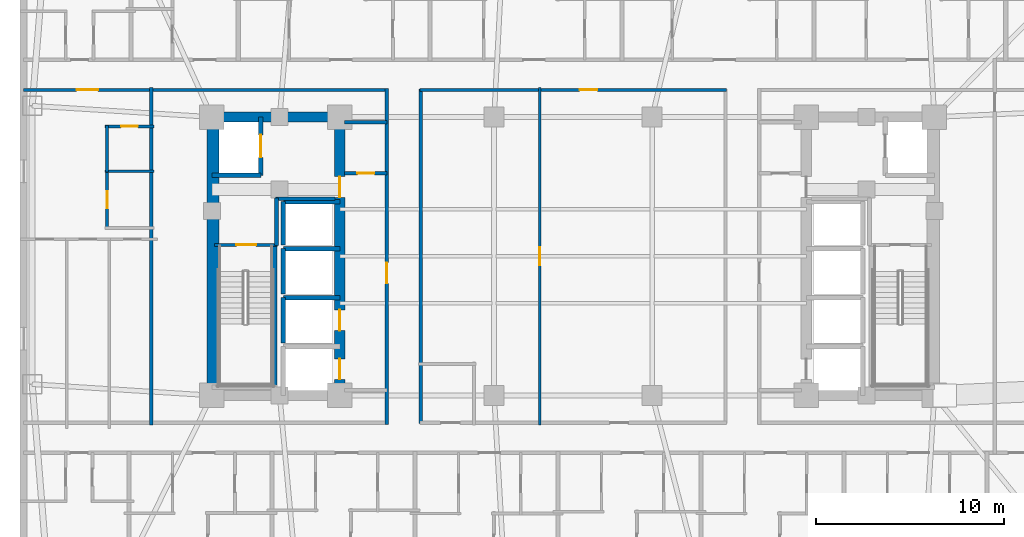
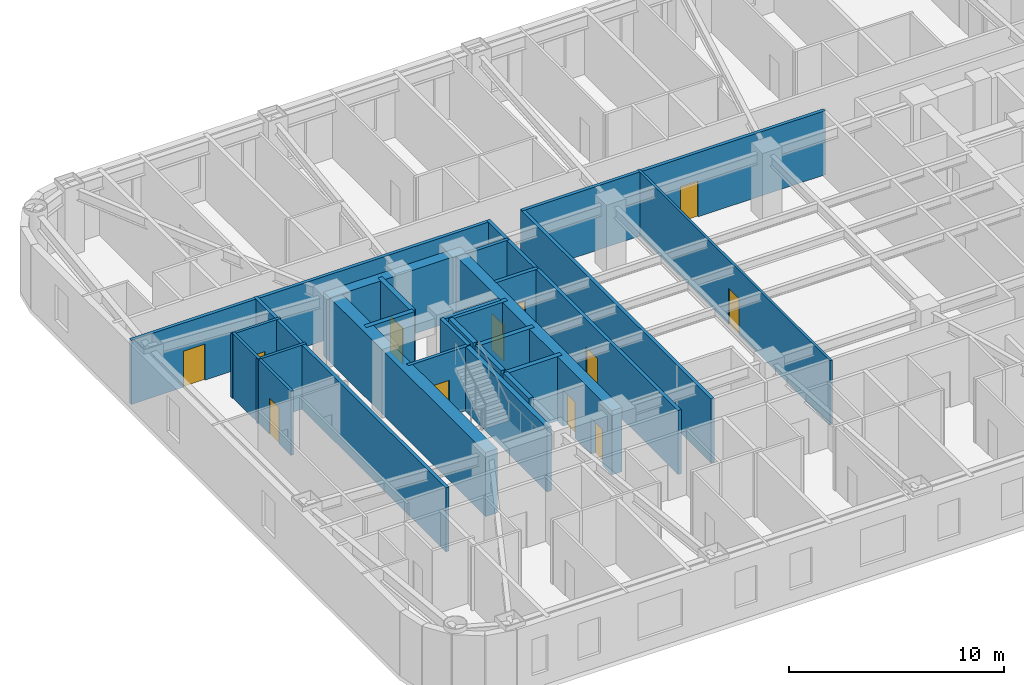
# One storey, part 9 of 16: 27 walls, 12 doors, 12 openings.
"""IFC4 building model written with IfcOpenShell, lengths in metres."""

from ifc_helpers import new_model, si_unit, direction, frame, frame_2d, origin, place, context, subcontext, project, spatial, rectangle, extrude, material, layer, layer_set, type_object, element, fill, save


model = new_model("IFC4")

# Units and contexts
model_context = context("Model", 3, precision=1e-05, world=origin(), true_north=direction((0.0, 1.0)))
body_context = subcontext(model_context, "Body", "Model", "MODEL_VIEW")
ifc_project = project(units=[si_unit("LENGTHUNIT", "METRE"), si_unit("AREAUNIT", "SQUARE_METRE"), si_unit("VOLUMEUNIT", "CUBIC_METRE"), si_unit("PLANEANGLEUNIT", "RADIAN"), si_unit("MASSUNIT", "GRAM", prefix="KILO")], contexts=[model_context])

# Site, building, storey
site_placement = place(None, origin())
site = spatial("IfcSite", under=ifc_project, at=site_placement, CompositionType="ELEMENT")
building_placement = place(site_placement, origin())
building = spatial("IfcBuilding", under=site, at=building_placement, Name="Voryun Gate Residences", CompositionType="ELEMENT")
storey_placement = place(building_placement, frame((0.0, 0.0, 93.60009765625)))
storey = spatial("IfcBuildingStorey", under=building, at=storey_placement, Name="L22", CompositionType="ELEMENT", Elevation=93.60009765625)

# Wall
ifc_material_1 = material(Name="Concrete C60/75", Category="concrete")
ifc_layer_1 = layer(ifc_material_1, 0.550048828125, Name="CW_CORE_550")
ifc_layer_set_1 = layer_set([ifc_layer_1], Name="Concrete C60/75")
wall_type_1 = type_object("IfcWallType", Name="CW_CORE_550", PredefinedType="SHEAR", material=ifc_layer_set_1)
wall_1_placement = place(storey_placement, frame((-19.47509765625, 7.39990234375, 0.0), z_axis=(0.0, 0.0, 1.0), x_axis=(1.0, 0.0, 0.0)))
element("IfcWall", 1, at=wall_1_placement, inside=storey, type_object=wall_type_1, Name="L22 Core shear wall CW-L22-WN", PredefinedType="SHEAR", context=body_context, shape_type="SweptSolid", body=[
    extrude(rectangle(XDim=7.35009765625, YDim=0.550048828125, at=frame_2d((3.675048828125, 0.0))), origin(), (0.0, 0.0, 1.0), 3.64990234375),
])

# Wall, openings, doors
wall_2_placement = place(storey_placement, frame((-12.39990234375, -7.39990234375, 0.0), z_axis=(0.0, 0.0, 1.0), x_axis=(0.0, 1.0, 0.0)))
wall_2 = element("IfcWall", 2, at=wall_2_placement, inside=storey, type_object=wall_type_1, Name="L22 Core shear wall CW-L22-WE", PredefinedType="SHEAR", context=body_context, shape_type="SweptSolid", body=[
    extrude(rectangle(XDim=14.7998046875, YDim=0.550048828125, at=frame_2d((7.39990234375, 0.0))), origin(), (0.0, 0.0, 1.0), 3.64990234375),
])
opening_1_placement = place(wall_2_placement, frame((0.85009765625, 0.0, 0.0)))
opening_1 = element("IfcOpeningElement", 3, at=opening_1_placement, cuts=wall_2, Name="Opening LD2", PredefinedType="OPENING", context=body_context, shape_type="SweptSolid", body=[
    extrude(rectangle(XDim=1.10009765625, YDim=2.050048828125, at=frame_2d((0.550048828125, 1.02490234375))), frame((0.0, 0.284912109375, 0.0), z_axis=(0.0, -1.0, 0.0), x_axis=(1.0, 0.0, 0.0)), (0.0, 0.0, 1.0), 0.570068359375),
])
opening_2_placement = place(wall_2_placement, frame((3.449951171875, 0.0, 0.0)))
opening_2 = element("IfcOpeningElement", 4, at=opening_2_placement, cuts=wall_2, Name="Opening LD2", PredefinedType="OPENING", context=body_context, shape_type="SweptSolid", body=[
    extrude(rectangle(XDim=1.10009765625, YDim=2.050048828125, at=frame_2d((0.550048828125, 1.02490234375))), frame((0.0, 0.284912109375, 0.0), z_axis=(0.0, -1.0, 0.0), x_axis=(1.0, 0.0, 0.0)), (0.0, 0.0, 1.0), 0.570068359375),
])
opening_3_placement = place(wall_2_placement, frame((10.530029296875, 0.0, 0.0)))
opening_3 = element("IfcOpeningElement", 5, at=opening_3_placement, cuts=wall_2, Name="Opening D-FD60-2", PredefinedType="OPENING", context=body_context, shape_type="SweptSolid", body=[
    extrude(rectangle(XDim=1.10009765625, YDim=2.050048828125, at=frame_2d((0.550048828125, 1.02490234375))), frame((0.0, 0.284912109375, 0.0), z_axis=(0.0, -1.0, 0.0), x_axis=(1.0, 0.0, 0.0)), (0.0, 0.0, 1.0), 0.570068359375),
])
ifc_material_2 = material(Name="Painted steel fire door", Category="steel")
door_type_1 = type_object("IfcDoorType", Name="DR_FD60_FFLOB_1100", OperationType="NOTDEFINED", PredefinedType="DOOR", material=ifc_material_2)
door_1_placement = place(opening_3_placement, origin())
door_1 = element("IfcDoor", 6, at=door_1_placement, inside=storey, type_object=door_type_1, Name="Door DR-L22-CLOB-W", OperationType="SINGLE_SWING_LEFT", OverallHeight=2.050048828125, OverallWidth=1.10009765625, PredefinedType="DOOR", context=body_context, shape_type="SweptSolid", body=[
    extrude(rectangle(XDim=1.10009765625, YDim=2.050048828125, at=frame_2d((0.550048828125, 1.02490234375))), frame((0.0, 0.02490234375, 0.0), z_axis=(0.0, -1.0, 0.0), x_axis=(1.0, 0.0, 0.0)), (0.0, 0.0, 1.0), 0.050048828125),
])
fill(opening_3, door_1)
ifc_material_3 = material(Name="Anodised aluminium", Category="aluminium")
door_type_2 = type_object("IfcDoorType", Name="DR_LD_PASS_1100", OperationType="NOTDEFINED", PredefinedType="DOOR", material=ifc_material_3)
door_2_placement = place(opening_1_placement, origin())
door_2 = element("IfcDoor", 7, at=door_2_placement, inside=storey, type_object=door_type_2, Name="Lift EL-P1 sliding landing door L22", OperationType="SLIDING_TO_LEFT", OverallHeight=2.050048828125, OverallWidth=1.10009765625, PredefinedType="DOOR", context=body_context, shape_type="SweptSolid", body=[
    extrude(rectangle(XDim=1.10009765625, YDim=2.050048828125, at=frame_2d((0.550048828125, 1.02490234375))), frame((0.0, 0.02490234375, 0.0), z_axis=(0.0, -1.0, 0.0), x_axis=(1.0, 0.0, 0.0)), (0.0, 0.0, 1.0), 0.050048828125),
])
fill(opening_1, door_2)
door_3_placement = place(opening_2_placement, origin())
door_3 = element("IfcDoor", 8, at=door_3_placement, inside=storey, type_object=door_type_2, Name="Lift EL-P2 sliding landing door L22", OperationType="SLIDING_TO_LEFT", OverallHeight=2.050048828125, OverallWidth=1.10009765625, PredefinedType="DOOR", context=body_context, shape_type="SweptSolid", body=[
    extrude(rectangle(XDim=1.10009765625, YDim=2.050048828125, at=frame_2d((0.550048828125, 1.02490234375))), frame((0.0, 0.02490234375, 0.0), z_axis=(0.0, -1.0, 0.0), x_axis=(1.0, 0.0, 0.0)), (0.0, 0.0, 1.0), 0.050048828125),
])
fill(opening_2, door_3)

# Wall
ifc_material_4 = material(Name="Concrete C60/75", Category="concrete")
ifc_layer_2 = layer(ifc_material_4, 0.64990234375, Name="CW_CORE_650")
ifc_layer_set_2 = layer_set([ifc_layer_2], Name="Concrete C60/75")
wall_type_2 = type_object("IfcWallType", Name="CW_CORE_650", PredefinedType="SHEAR", material=ifc_layer_set_2)
wall_3_placement = place(storey_placement, frame((-19.14501953125, -7.39990234375, 0.0), z_axis=(0.0, 0.0, 1.0), x_axis=(0.0, 1.0, 0.0)))
element("IfcWall", 9, at=wall_3_placement, inside=storey, type_object=wall_type_2, Name="L22 Core shear wall CW-L22-WW", PredefinedType="SHEAR", context=body_context, shape_type="SweptSolid", body=[
    extrude(rectangle(XDim=14.7998046875, YDim=0.64990234375, at=frame_2d((7.39990234375, 0.0))), origin(), (0.0, 0.0, 1.0), 3.64990234375),
])

# Wall, opening, door
ifc_material_5 = material(Name="Gypsum acoustic fireboard")
ifc_layer_3 = layer(ifc_material_5, 0.179931640625, Name="W_CORR_RATED_180")
ifc_layer_set_3 = layer_set([ifc_layer_3], Name="Gypsum acoustic fireboard")
wall_type_3 = type_object("IfcWallType", Name="W_CORR_RATED_180", PredefinedType="PARTITIONING", material=ifc_layer_set_3)
wall_4_placement = place(storey_placement, frame((-19.06005859375, 0.60009765625, 0.0), z_axis=(0.0, 0.0, 1.0), x_axis=(1.0, 0.0, 0.0)))
wall_4 = element("IfcWall", 10, at=wall_4_placement, inside=storey, type_object=wall_type_3, Name="Partition wall WP-L22-STV-W", PredefinedType="PARTITIONING", context=body_context, shape_type="SweptSolid", body=[
    extrude(rectangle(XDim=3.360107421875, YDim=0.179931640625, at=frame_2d((1.68017578125, 0.0))), origin(), (0.0, 0.0, 1.0), 3.64990234375),
])
opening_4_placement = place(wall_4_placement, frame((1.155029296875, 0.0, 0.0)))
opening_4 = element("IfcOpeningElement", 11, at=opening_4_placement, cuts=wall_4, Name="Opening D-FD60-1", PredefinedType="OPENING", context=body_context, shape_type="SweptSolid", body=[
    extrude(rectangle(XDim=1.050048828125, YDim=2.050048828125, at=frame_2d((0.52490234375, 1.02490234375))), frame((0.0, 0.099853515625, 0.0), z_axis=(0.0, -1.0, 0.0), x_axis=(1.0, 0.0, 0.0)), (0.0, 0.0, 1.0), 0.199951171875),
])
ifc_material_6 = material(Name="Painted steel fire door", Category="steel")
door_type_3 = type_object("IfcDoorType", Name="DR_FD60_STAIR_1050", OperationType="NOTDEFINED", PredefinedType="DOOR", material=ifc_material_6)
door_4_placement = place(opening_4_placement, origin())
door_4 = element("IfcDoor", 12, at=door_4_placement, inside=storey, type_object=door_type_3, Name="Door DR-L22-ST-W", OperationType="SINGLE_SWING_LEFT", OverallHeight=2.050048828125, OverallWidth=1.050048828125, PredefinedType="DOOR", context=body_context, shape_type="SweptSolid", body=[
    extrude(rectangle(XDim=1.050048828125, YDim=2.050048828125, at=frame_2d((0.52490234375, 1.02490234375))), frame((0.0, 0.02490234375, 0.0), z_axis=(0.0, -1.0, 0.0), x_axis=(1.0, 0.0, 0.0)), (0.0, 0.0, 1.0), 0.050048828125),
])
fill(opening_4, door_4)

# Wall
wall_5_placement = place(storey_placement, frame((-12.14990234375, 7.1201171875, 0.0), z_axis=(0.0, 0.0, 1.0), x_axis=(1.0, 0.0, 0.0)))
element("IfcWall", 13, at=wall_5_placement, inside=storey, type_object=wall_type_3, Name="Partition wall WP-L22-PLBN-W", PredefinedType="PARTITIONING", context=body_context, shape_type="SweptSolid", body=[
    extrude(rectangle(XDim=2.27001953125, YDim=0.179931640625, at=frame_2d((1.135009765625, 0.0))), origin(), (0.0, 0.0, 1.0), 3.64990234375),
])

# Wall, opening, door
wall_6_placement = place(storey_placement, frame((-9.89990234375, -8.929931640625, 0.0), z_axis=(0.0, 0.0, 1.0), x_axis=(0.0, 1.0, 0.0)))
wall_6 = element("IfcWall", 14, at=wall_6_placement, inside=storey, type_object=wall_type_3, Name="Partition wall WP-L22-PLBW-FULL", PredefinedType="PARTITIONING", context=body_context, shape_type="SweptSolid", body=[
    extrude(rectangle(XDim=17.85986328125, YDim=0.179931640625, at=frame_2d((8.929931640625, 0.0))), origin(), (0.0, 0.0, 1.0), 3.64990234375),
])
opening_5_placement = place(wall_6_placement, frame((7.487060546875, 0.0, 0.0)))
opening_5 = element("IfcOpeningElement", 15, at=opening_5_placement, cuts=wall_6, Name="Opening D-FD60-2", PredefinedType="OPENING", context=body_context, shape_type="SweptSolid", body=[
    extrude(rectangle(XDim=1.10009765625, YDim=2.050048828125, at=frame_2d((0.550048828125, 1.02490234375))), frame((0.0, 0.099853515625, 0.0), z_axis=(0.0, -1.0, 0.0), x_axis=(1.0, 0.0, 0.0)), (0.0, 0.0, 1.0), 0.199951171875),
])
door_5_placement = place(opening_5_placement, origin())
door_5 = element("IfcDoor", 16, at=door_5_placement, inside=storey, type_object=door_type_1, Name="Door DR-L22-PLBW-COR", OperationType="SINGLE_SWING_LEFT", OverallHeight=2.050048828125, OverallWidth=1.10009765625, PredefinedType="DOOR", context=body_context, shape_type="SweptSolid", body=[
    extrude(rectangle(XDim=1.10009765625, YDim=2.050048828125, at=frame_2d((0.550048828125, 1.02490234375))), frame((0.0, 0.02490234375, 0.0), z_axis=(0.0, -1.0, 0.0), x_axis=(1.0, 0.0, 0.0)), (0.0, 0.0, 1.0), 0.050048828125),
])
fill(opening_5, door_5)

wall_7_placement = place(storey_placement, frame((-29.2099609375, 8.840087890625, 0.0), z_axis=(0.0, 0.0, 1.0), x_axis=(1.0, 0.0, 0.0)))
wall_7 = element("IfcWall", 17, at=wall_7_placement, inside=storey, type_object=wall_type_3, Name="Partition wall WP-L22-CWING-WN", PredefinedType="PARTITIONING", context=body_context, shape_type="SweptSolid", body=[
    extrude(rectangle(XDim=19.330078125, YDim=0.179931640625, at=frame_2d((9.6650390625, 0.0))), origin(), (0.0, 0.0, 1.0), 3.64990234375),
])
opening_6_placement = place(wall_7_placement, frame((2.8154296875, 0.0, 0.0)))
opening_6 = element("IfcOpeningElement", 18, at=opening_6_placement, cuts=wall_7, Name="Opening D-UNIT-1", PredefinedType="OPENING", context=body_context, shape_type="SweptSolid", body=[
    extrude(rectangle(XDim=1.14990234375, YDim=2.050048828125, at=frame_2d((0.574951171875, 1.02490234375))), frame((0.0, 0.099853515625, 0.0), z_axis=(0.0, -1.0, 0.0), x_axis=(1.0, 0.0, 0.0)), (0.0, 0.0, 1.0), 0.199951171875),
])
ifc_material_7 = material(Name="Armoured timber-clad fire door", Category="wood")
door_type_4 = type_object("IfcDoorType", Name="DR_UNIT_ENTRY_1150", OperationType="NOTDEFINED", PredefinedType="DOOR", material=ifc_material_7)
door_6_placement = place(opening_6_placement, origin())
door_6 = element("IfcDoor", 19, at=door_6_placement, inside=storey, type_object=door_type_4, Name="Door DR-L22-WE1N", OperationType="SINGLE_SWING_LEFT", OverallHeight=2.050048828125, OverallWidth=1.14990234375, PredefinedType="DOOR", context=body_context, shape_type="SweptSolid", body=[
    extrude(rectangle(XDim=1.14990234375, YDim=2.050048828125, at=frame_2d((0.574951171875, 1.02490234375))), frame((0.0, 0.02490234375, 0.0), z_axis=(0.0, -1.0, 0.0), x_axis=(1.0, 0.0, 0.0)), (0.0, 0.0, 1.0), 0.050048828125),
])
fill(opening_6, door_6)

wall_8_placement = place(storey_placement, frame((-8.14990234375, 8.840087890625, 0.0), z_axis=(0.0, 0.0, 1.0), x_axis=(1.0, 0.0, 0.0)))
wall_8 = element("IfcWall", 20, at=wall_8_placement, inside=storey, type_object=wall_type_3, Name="Partition wall WP-L22-Z1N", PredefinedType="PARTITIONING", context=body_context, shape_type="SweptSolid", body=[
    extrude(rectangle(XDim=16.2998046875, YDim=0.179931640625, at=frame_2d((8.14990234375, 0.0))), origin(), (0.0, 0.0, 1.0), 3.64990234375),
])
opening_7_placement = place(wall_8_placement, frame((8.489990234375, 0.0, 0.0)))
opening_7 = element("IfcOpeningElement", 21, at=opening_7_placement, cuts=wall_8, Name="Opening D-INT-1", PredefinedType="OPENING", context=body_context, shape_type="SweptSolid", body=[
    extrude(rectangle(XDim=0.949951171875, YDim=2.050048828125, at=frame_2d((0.47509765625, 1.02490234375))), frame((0.0, 0.099853515625, 0.0), z_axis=(0.0, -1.0, 0.0), x_axis=(1.0, 0.0, 0.0)), (0.0, 0.0, 1.0), 0.199951171875),
])
ifc_material_8 = material(Name="Architectural oak veneer")
door_type_5 = type_object("IfcDoorType", Name="DR_INT_ROOM_950", OperationType="NOTDEFINED", PredefinedType="DOOR", material=ifc_material_8)
door_7_placement = place(opening_7_placement, origin())
door_7 = element("IfcDoor", 22, at=door_7_placement, inside=storey, type_object=door_type_5, Name="Door DR-L22-CMIDZ1N", OperationType="SINGLE_SWING_LEFT", OverallHeight=2.050048828125, OverallWidth=0.949951171875, PredefinedType="DOOR", context=body_context, shape_type="SweptSolid", body=[
    extrude(rectangle(XDim=0.949951171875, YDim=2.050048828125, at=frame_2d((0.47509765625, 1.02490234375))), frame((0.0, 0.02490234375, 0.0), z_axis=(0.0, -1.0, 0.0), x_axis=(1.0, 0.0, 0.0)), (0.0, 0.0, 1.0), 0.050048828125),
])
fill(opening_7, door_7)

# Walls
wall_9_placement = place(storey_placement, frame((-8.10009765625, -8.8798828125, 0.0), z_axis=(0.0, 0.0, 1.0), x_axis=(0.0, 1.0, 0.0)))
element("IfcWall", 23, at=wall_9_placement, inside=storey, type_object=wall_type_3, Name="Partition wall WP-L22-Z1W", PredefinedType="PARTITIONING", context=body_context, shape_type="SweptSolid", body=[
    extrude(rectangle(XDim=17.759765625, YDim=0.179931640625, at=frame_2d((8.8798828125, 0.0))), origin(), (0.0, 0.0, 1.0), 3.64990234375),
])
wall_10_placement = place(storey_placement, frame((-22.419921875, -8.9599609375, 0.0), z_axis=(0.0, 0.0, 1.0), x_axis=(0.0, 1.0, 0.0)))
element("IfcWall", 24, at=wall_10_placement, inside=storey, type_object=wall_type_3, Name="Partition wall WP-L22-WCOR", PredefinedType="PARTITIONING", context=body_context, shape_type="SweptSolid", body=[
    extrude(rectangle(XDim=17.919921875, YDim=0.179931640625, at=frame_2d((8.9599609375, 0.0))), origin(), (0.0, 0.0, 1.0), 3.64990234375),
])
ifc_material_9 = material(Name="Concrete C40/50", Category="concrete")
ifc_layer_4 = layer(ifc_material_9, 0.199951171875, Name="W_FF_LOBBY_200")
ifc_layer_set_4 = layer_set([ifc_layer_4], Name="Concrete C40/50")
wall_type_4 = type_object("IfcWallType", Name="W_FF_LOBBY_200", PredefinedType="PARTITIONING", material=ifc_layer_set_4)
wall_11_placement = place(storey_placement, frame((-15.760009765625, 0.580078125, 0.0), z_axis=(0.0, 0.0, 1.0), x_axis=(0.0, 1.0, 0.0)))
element("IfcWall", 25, at=wall_11_placement, inside=storey, type_object=wall_type_4, Name="Partition wall WP-L22-FFP0-W", PredefinedType="PARTITIONING", context=body_context, shape_type="SweptSolid", body=[
    extrude(rectangle(XDim=2.52001953125, YDim=0.199951171875, at=frame_2d((1.260009765625, 0.0))), origin(), (0.0, 0.0, 1.0), 3.64990234375),
])
wall_12_placement = place(storey_placement, frame((-15.820068359375, 3.06005859375, 0.0), z_axis=(0.0, 0.0, 1.0), x_axis=(1.0, 0.0, 0.0)))
element("IfcWall", 26, at=wall_12_placement, inside=storey, type_object=wall_type_4, Name="Partition wall WP-L22-FFPS-W", PredefinedType="PARTITIONING", context=body_context, shape_type="SweptSolid", body=[
    extrude(rectangle(XDim=3.16015625, YDim=0.199951171875, at=frame_2d((1.580078125, 0.0))), origin(), (0.0, 0.0, 1.0), 3.64990234375),
])

# Wall, opening, door
wall_13_placement = place(storey_placement, frame((-12.14990234375, 4.409912109375, 0.0), z_axis=(0.0, 0.0, 1.0), x_axis=(1.0, 0.0, 0.0)))
wall_13 = element("IfcWall", 27, at=wall_13_placement, inside=storey, type_object=wall_type_4, Name="Partition wall WP-L22-CSFLKS-W", PredefinedType="PARTITIONING", context=body_context, shape_type="SweptSolid", body=[
    extrude(rectangle(XDim=2.27001953125, YDim=0.199951171875, at=frame_2d((1.135009765625, 0.0))), origin(), (0.0, 0.0, 1.0), 3.64990234375),
])
opening_8_placement = place(wall_13_placement, frame((0.68505859375, 0.0, 0.0)))
opening_8 = element("IfcOpeningElement", 28, at=opening_8_placement, cuts=wall_13, Name="Opening D-FD60-4", PredefinedType="OPENING", context=body_context, shape_type="SweptSolid", body=[
    extrude(rectangle(XDim=0.89990234375, YDim=2.050048828125, at=frame_2d((0.449951171875, 1.02490234375))), frame((0.0, 0.110107421875, 0.0), z_axis=(0.0, -1.0, 0.0), x_axis=(1.0, 0.0, 0.0)), (0.0, 0.0, 1.0), 0.219970703125),
])
ifc_material_10 = material(Name="Painted steel fire door", Category="steel")
door_type_6 = type_object("IfcDoorType", Name="DR_FD60_RISER_900", OperationType="NOTDEFINED", PredefinedType="DOOR", material=ifc_material_10)
door_8_placement = place(opening_8_placement, origin())
door_8 = element("IfcDoor", 29, at=door_8_placement, inside=storey, type_object=door_type_6, Name="Door DR-L22-CSFLK-W", OperationType="SINGLE_SWING_LEFT", OverallHeight=2.050048828125, OverallWidth=0.89990234375, PredefinedType="DOOR", context=body_context, shape_type="SweptSolid", body=[
    extrude(rectangle(XDim=0.89990234375, YDim=2.050048828125, at=frame_2d((0.449951171875, 1.02490234375))), frame((0.0, 0.02490234375, 0.0), z_axis=(0.0, -1.0, 0.0), x_axis=(1.0, 0.0, 0.0)), (0.0, 0.0, 1.0), 0.050048828125),
])
fill(opening_8, door_8)

# Walls
ifc_material_11 = material(Name="Concrete C50/60", Category="concrete")
ifc_layer_5 = layer(ifc_material_11, 0.25, Name="W_SHAFT_RC250")
ifc_layer_set_5 = layer_set([ifc_layer_5], Name="Concrete C50/60")
wall_type_5 = type_object("IfcWallType", Name="W_SHAFT_RC250", PredefinedType="SOLIDWALL", material=ifc_layer_set_5)
wall_14_placement = place(storey_placement, frame((-15.860107421875, -7.0849609375, 0.0), z_axis=(0.0, 0.0, 1.0), x_axis=(0.0, 1.0, 0.0)))
element("IfcWall", 30, at=wall_14_placement, inside=storey, type_object=wall_type_5, Name="L22 Stair shaft structural wall W-STR", PredefinedType="SOLIDWALL", context=body_context, shape_type="SweptSolid", body=[
    extrude(rectangle(XDim=7.68505859375, YDim=0.25, at=frame_2d((3.842529296875, 0.0))), origin(), (0.0, 0.0, 1.0), 3.64990234375),
])
wall_15_placement = place(storey_placement, frame((-19.199951171875, 4.300048828125, 0.0), z_axis=(0.0, 0.0, 1.0), x_axis=(1.0, 0.0, 0.0)))
element("IfcWall", 31, at=wall_15_placement, inside=storey, type_object=wall_type_5, Name="Lift shaft wall WSH-L22-EL-FF-W1-S", PredefinedType="SOLIDWALL", context=body_context, shape_type="SweptSolid", body=[
    extrude(rectangle(XDim=2.599853515625, YDim=0.25, at=frame_2d((1.2998046875, 0.0))), origin(), (0.0, 0.0, 1.0), 3.64990234375),
])

# Wall, opening, door
wall_16_placement = place(storey_placement, frame((-16.60009765625, 4.300048828125, 0.0), z_axis=(0.0, 0.0, 1.0), x_axis=(0.0, 1.0, 0.0)))
wall_16 = element("IfcWall", 32, at=wall_16_placement, inside=storey, type_object=wall_type_5, Name="Lift shaft wall WSH-L22-EL-FF-W1-E", PredefinedType="SOLIDWALL", context=body_context, shape_type="SweptSolid", body=[
    extrude(rectangle(XDim=3.099853515625, YDim=0.25, at=frame_2d((1.5498046875, 0.0))), origin(), (0.0, 0.0, 1.0), 3.64990234375),
])
opening_9_placement = place(wall_16_placement, frame((0.949951171875, 0.0, 0.0)))
opening_9 = element("IfcOpeningElement", 33, at=opening_9_placement, cuts=wall_16, Name="Opening LD1", PredefinedType="OPENING", context=body_context, shape_type="SweptSolid", body=[
    extrude(rectangle(XDim=1.199951171875, YDim=2.050048828125, at=frame_2d((0.60009765625, 1.02490234375))), frame((0.0, 0.135009765625, 0.0), z_axis=(0.0, -1.0, 0.0), x_axis=(1.0, 0.0, 0.0)), (0.0, 0.0, 1.0), 0.27001953125),
])
ifc_material_12 = material(Name="Anodised aluminium", Category="aluminium")
door_type_7 = type_object("IfcDoorType", Name="DR_LD_FF_1200", OperationType="NOTDEFINED", PredefinedType="DOOR", material=ifc_material_12)
door_9_placement = place(opening_9_placement, origin())
door_9 = element("IfcDoor", 34, at=door_9_placement, inside=storey, type_object=door_type_7, Name="Lift EL-FF-W1 sliding landing door L22", OperationType="SLIDING_TO_LEFT", OverallHeight=2.050048828125, OverallWidth=1.199951171875, PredefinedType="DOOR", context=body_context, shape_type="SweptSolid", body=[
    extrude(rectangle(XDim=1.199951171875, YDim=2.050048828125, at=frame_2d((0.60009765625, 1.02490234375))), frame((0.0, 0.02490234375, 0.0), z_axis=(0.0, -1.0, 0.0), x_axis=(1.0, 0.0, 0.0)), (0.0, 0.0, 1.0), 0.050048828125),
])
fill(opening_9, door_9)

# Walls
wall_17_placement = place(storey_placement, frame((-12.39990234375, -2.199951171875, 0.0), z_axis=(0.0, 0.0, 1.0), x_axis=(-1.0, 0.0, 0.0)))
element("IfcWall", 35, at=wall_17_placement, inside=storey, type_object=wall_type_5, Name="Lift shaft wall WSH-L22-EL-P2-N", PredefinedType="SOLIDWALL", context=body_context, shape_type="SweptSolid", body=[
    extrude(rectangle(XDim=3.0, YDim=0.25, at=frame_2d((1.5, 0.0))), origin(), (0.0, 0.0, 1.0), 3.64990234375),
])
wall_18_placement = place(storey_placement, frame((-15.39990234375, -2.199951171875, 0.0), z_axis=(0.0, 0.0, 1.0), x_axis=(0.0, -1.0, 0.0)))
element("IfcWall", 36, at=wall_18_placement, inside=storey, type_object=wall_type_5, Name="Lift shaft wall WSH-L22-EL-P2-W", PredefinedType="SOLIDWALL", context=body_context, shape_type="SweptSolid", body=[
    extrude(rectangle(XDim=2.400146484375, YDim=0.25, at=frame_2d((1.2001953125, 0.0))), origin(), (0.0, 0.0, 1.0), 3.64990234375),
])
wall_19_placement = place(storey_placement, frame((-12.39990234375, 0.39990234375, 0.0), z_axis=(0.0, 0.0, 1.0), x_axis=(-1.0, 0.0, 0.0)))
element("IfcWall", 37, at=wall_19_placement, inside=storey, type_object=wall_type_5, Name="Lift shaft wall WSH-L22-EL-P4-N", PredefinedType="SOLIDWALL", context=body_context, shape_type="SweptSolid", body=[
    extrude(rectangle(XDim=3.0, YDim=0.25, at=frame_2d((1.5, 0.0))), origin(), (0.0, 0.0, 1.0), 3.64990234375),
])
wall_20_placement = place(storey_placement, frame((-15.39990234375, 0.39990234375, 0.0), z_axis=(0.0, 0.0, 1.0), x_axis=(0.0, -1.0, 0.0)))
element("IfcWall", 38, at=wall_20_placement, inside=storey, type_object=wall_type_5, Name="Lift shaft wall WSH-L22-EL-P4-W", PredefinedType="SOLIDWALL", context=body_context, shape_type="SweptSolid", body=[
    extrude(rectangle(XDim=2.39990234375, YDim=0.25, at=frame_2d((1.199951171875, 0.0))), origin(), (0.0, 0.0, 1.0), 3.64990234375),
])
wall_21_placement = place(storey_placement, frame((-12.39990234375, 2.89990234375, 0.0), z_axis=(0.0, 0.0, 1.0), x_axis=(-1.0, 0.0, 0.0)))
element("IfcWall", 39, at=wall_21_placement, inside=storey, type_object=wall_type_5, Name="Lift shaft wall WSH-L22-EL-P7-N", PredefinedType="SOLIDWALL", context=body_context, shape_type="SweptSolid", body=[
    extrude(rectangle(XDim=3.0, YDim=0.25, at=frame_2d((1.5, 0.0))), origin(), (0.0, 0.0, 1.0), 3.64990234375),
])
wall_22_placement = place(storey_placement, frame((-15.39990234375, 2.89990234375, 0.0), z_axis=(0.0, 0.0, 1.0), x_axis=(0.0, -1.0, 0.0)))
element("IfcWall", 40, at=wall_22_placement, inside=storey, type_object=wall_type_5, Name="Lift shaft wall WSH-L22-EL-P7-W", PredefinedType="SOLIDWALL", context=body_context, shape_type="SweptSolid", body=[
    extrude(rectangle(XDim=2.2998046875, YDim=0.25, at=frame_2d((1.14990234375, 0.0))), origin(), (0.0, 0.0, 1.0), 3.64990234375),
])

# Wall, opening, door
ifc_material_13 = material(Name="Gypsum acoustic partition")
ifc_layer_6 = layer(ifc_material_13, 0.125, Name="W_UNIT_PART_125")
ifc_layer_set_6 = layer_set([ifc_layer_6], Name="Gypsum acoustic partition")
wall_type_6 = type_object("IfcWallType", Name="W_UNIT_PART_125", PredefinedType="PARTITIONING", material=ifc_layer_set_6)
wall_23_placement = place(storey_placement, frame((-1.77294921875, -8.969970703125, 0.0), z_axis=(0.0, 0.0, 1.0), x_axis=(0.0, 1.0, 0.0)))
wall_23 = element("IfcWall", 41, at=wall_23_placement, inside=storey, type_object=wall_type_6, Name="Partition wall WP-L22-MIDX-0", PredefinedType="PARTITIONING", context=body_context, shape_type="SweptSolid", body=[
    extrude(rectangle(XDim=17.93994140625, YDim=0.125, at=frame_2d((8.969970703125, 0.0))), origin(), (0.0, 0.0, 1.0), 3.64990234375),
])
opening_10_placement = place(wall_23_placement, frame((8.4951171875, 0.0, 0.0)))
opening_10 = element("IfcOpeningElement", 42, at=opening_10_placement, cuts=wall_23, Name="Opening D-INT-1", PredefinedType="OPENING", context=body_context, shape_type="SweptSolid", body=[
    extrude(rectangle(XDim=0.949951171875, YDim=2.050048828125, at=frame_2d((0.47509765625, 1.02490234375))), frame((0.0, 0.072509765625, 0.0), z_axis=(0.0, -1.0, 0.0), x_axis=(1.0, 0.0, 0.0)), (0.0, 0.0, 1.0), 0.14501953125),
])
door_10_placement = place(opening_10_placement, origin())
door_10 = element("IfcDoor", 43, at=door_10_placement, inside=storey, type_object=door_type_5, Name="Door DR-L22-MIDX-0", OperationType="SINGLE_SWING_LEFT", OverallHeight=2.050048828125, OverallWidth=0.949951171875, PredefinedType="DOOR", context=body_context, shape_type="SweptSolid", body=[
    extrude(rectangle(XDim=0.949951171875, YDim=2.050048828125, at=frame_2d((0.47509765625, 1.02490234375))), frame((0.0, 0.02490234375, 0.0), z_axis=(0.0, -1.0, 0.0), x_axis=(1.0, 0.0, 0.0)), (0.0, 0.0, 1.0), 0.050048828125),
])
fill(opening_10, door_10)

ifc_material_14 = material(Name="Gypsum moisture-resistant partition")
ifc_layer_7 = layer(ifc_material_14, 0.14990234375, Name="W_WET_PLUMB_150")
ifc_layer_set_7 = layer_set([ifc_layer_7], Name="Gypsum moisture-resistant partition")
wall_type_7 = type_object("IfcWallType", Name="W_WET_PLUMB_150", PredefinedType="PLUMBINGWALL", material=ifc_layer_set_7)
wall_24_placement = place(storey_placement, frame((-24.889892578125, 6.89990234375, 0.0), z_axis=(0.0, 0.0, 1.0), x_axis=(1.0, 0.0, 0.0)))
wall_24 = element("IfcWall", 44, at=wall_24_placement, inside=storey, type_object=wall_type_7, Name="Partition wall WP-L22-W1-IBT", PredefinedType="PLUMBINGWALL", context=body_context, shape_type="SweptSolid", body=[
    extrude(rectangle(XDim=2.619873046875, YDim=0.14990234375, at=frame_2d((1.31005859375, 0.0))), origin(), (0.0, 0.0, 1.0), 3.64990234375),
])
opening_11_placement = place(wall_24_placement, frame((0.860107421875, 0.0, 0.0)))
opening_11 = element("IfcOpeningElement", 45, at=opening_11_placement, cuts=wall_24, Name="Opening D-INT-2", PredefinedType="OPENING", context=body_context, shape_type="SweptSolid", body=[
    extrude(rectangle(XDim=0.89990234375, YDim=2.050048828125, at=frame_2d((0.449951171875, 1.02490234375))), frame((0.0, 0.0849609375, 0.0), z_axis=(0.0, -1.0, 0.0), x_axis=(1.0, 0.0, 0.0)), (0.0, 0.0, 1.0), 0.169921875),
])
ifc_material_15 = material(Name="Architectural oak veneer")
door_type_8 = type_object("IfcDoorType", Name="DR_INT_BATH_900", OperationType="NOTDEFINED", PredefinedType="DOOR", material=ifc_material_15)
door_11_placement = place(opening_11_placement, origin())
door_11 = element("IfcDoor", 46, at=door_11_placement, inside=storey, type_object=door_type_8, Name="Door DR-L22-W1-DK", OperationType="SINGLE_SWING_LEFT", OverallHeight=2.050048828125, OverallWidth=0.89990234375, PredefinedType="DOOR", context=body_context, shape_type="SweptSolid", body=[
    extrude(rectangle(XDim=0.89990234375, YDim=2.050048828125, at=frame_2d((0.449951171875, 1.02490234375))), frame((0.0, 0.02490234375, 0.0), z_axis=(0.0, -1.0, 0.0), x_axis=(1.0, 0.0, 0.0)), (0.0, 0.0, 1.0), 0.050048828125),
])
fill(opening_11, door_11)

# Wall
wall_25_placement = place(storey_placement, frame((-24.889892578125, 4.52001953125, 0.0), z_axis=(0.0, 0.0, 1.0), x_axis=(1.0, 0.0, 0.0)))
element("IfcWall", 47, at=wall_25_placement, inside=storey, type_object=wall_type_7, Name="Partition wall WP-L22-W1-IKB", PredefinedType="PLUMBINGWALL", context=body_context, shape_type="SweptSolid", body=[
    extrude(rectangle(XDim=2.619873046875, YDim=0.14990234375, at=frame_2d((1.31005859375, 0.0))), origin(), (0.0, 0.0, 1.0), 3.64990234375),
])

# Wall, opening, door
wall_26_placement = place(storey_placement, frame((-24.77001953125, 1.43994140625, 0.0), z_axis=(0.0, 0.0, 1.0), x_axis=(0.0, 1.0, 0.0)))
wall_26 = element("IfcWall", 48, at=wall_26_placement, inside=storey, type_object=wall_type_7, Name="Partition wall WP-L22-W1-VTSK1", PredefinedType="PLUMBINGWALL", context=body_context, shape_type="SweptSolid", body=[
    extrude(rectangle(XDim=3.1201171875, YDim=0.14990234375, at=frame_2d((1.56005859375, 0.0))), origin(), (0.0, 0.0, 1.0), 3.64990234375),
])
opening_12_placement = place(wall_26_placement, frame((1.110107421875, 0.0, 0.0)))
opening_12 = element("IfcOpeningElement", 49, at=opening_12_placement, cuts=wall_26, Name="Opening D-INT-2", PredefinedType="OPENING", context=body_context, shape_type="SweptSolid", body=[
    extrude(rectangle(XDim=0.89990234375, YDim=2.050048828125, at=frame_2d((0.449951171875, 1.02490234375))), frame((0.0, 0.0849609375, 0.0), z_axis=(0.0, -1.0, 0.0), x_axis=(1.0, 0.0, 0.0)), (0.0, 0.0, 1.0), 0.169921875),
])
door_12_placement = place(opening_12_placement, origin())
door_12 = element("IfcDoor", 50, at=door_12_placement, inside=storey, type_object=door_type_8, Name="Door DR-L22-W1-DB", OperationType="SINGLE_SWING_RIGHT", OverallHeight=2.050048828125, OverallWidth=0.89990234375, PredefinedType="DOOR", context=body_context, shape_type="SweptSolid", body=[
    extrude(rectangle(XDim=0.89990234375, YDim=2.050048828125, at=frame_2d((0.449951171875, 1.02490234375))), frame((0.0, 0.02490234375, 0.0), z_axis=(0.0, -1.0, 0.0), x_axis=(1.0, 0.0, 0.0)), (0.0, 0.0, 1.0), 0.050048828125),
])
fill(opening_12, door_12)

# Wall
wall_27_placement = place(storey_placement, frame((-24.77001953125, 4.47998046875, 0.0), z_axis=(0.0, 0.0, 1.0), x_axis=(0.0, 1.0, 0.0)))
element("IfcWall", 51, at=wall_27_placement, inside=storey, type_object=wall_type_7, Name="Partition wall WP-L22-W1-VTSK2", PredefinedType="PLUMBINGWALL", context=body_context, shape_type="SweptSolid", body=[
    extrude(rectangle(XDim=2.47998046875, YDim=0.14990234375, at=frame_2d((1.239990234375, 0.0))), origin(), (0.0, 0.0, 1.0), 3.64990234375),
])

save(model, "model.ifc")
